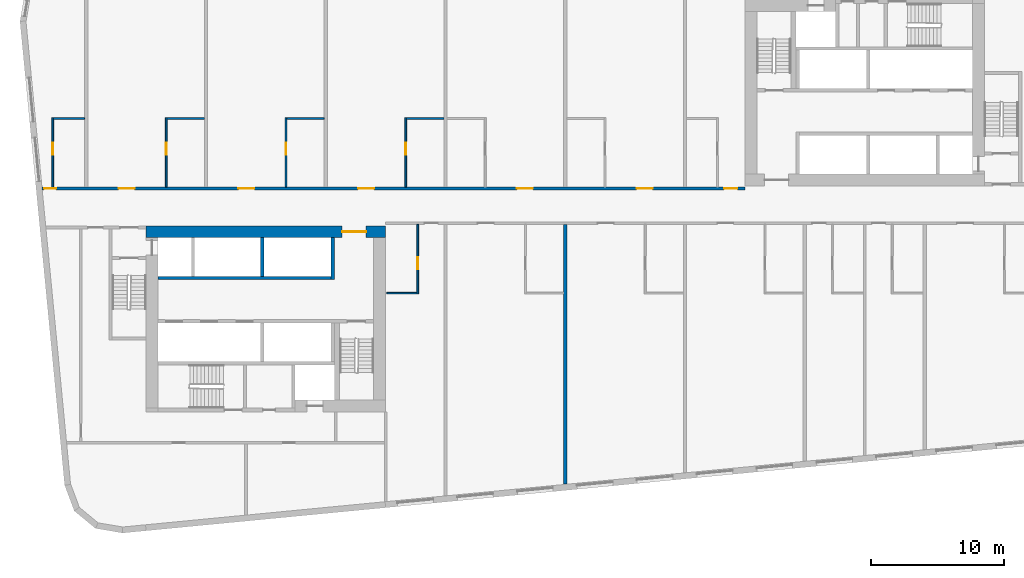
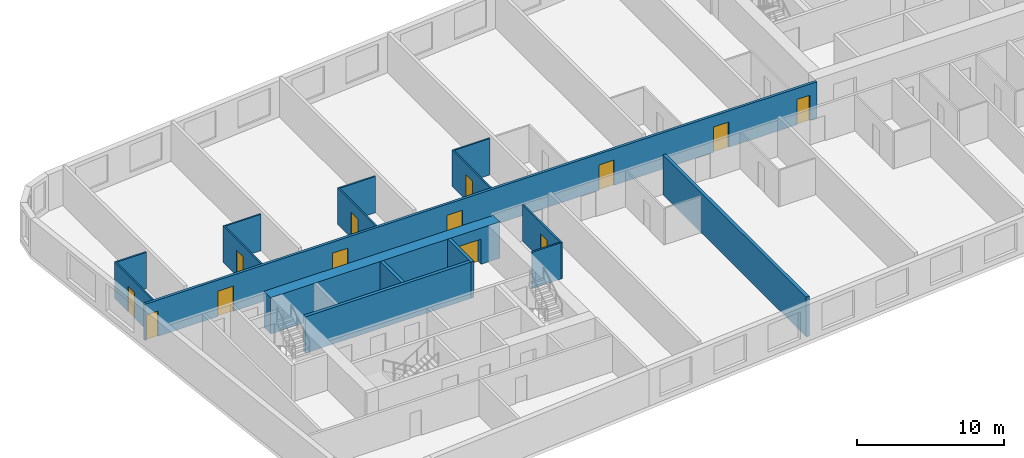
# One storey, part 3 of 12: 16 walls, 13 doors, 13 openings.
"""IFC4 building model written with IfcOpenShell, lengths in metres."""

from ifc_helpers import new_model, si_unit, direction, frame, frame_2d, origin, place, context, subcontext, project, spatial, rectangle, extrude, material, layer, layer_set, type_object, element, fill, save


model = new_model("IFC4")

# Units and contexts
model_context = context("Model", 3, precision=1e-05, world=origin(), true_north=direction((0.0, 1.0)))
body_context = subcontext(model_context, "Body", "Model", "MODEL_VIEW")
ifc_project = project(units=[si_unit("LENGTHUNIT", "METRE"), si_unit("AREAUNIT", "SQUARE_METRE"), si_unit("VOLUMEUNIT", "CUBIC_METRE"), si_unit("PLANEANGLEUNIT", "RADIAN"), si_unit("MASSUNIT", "GRAM", prefix="KILO")], contexts=[model_context])

# Site, building, storey
site_placement = place(None, origin())
site = spatial("IfcSite", under=ifc_project, at=site_placement, CompositionType="ELEMENT")
building_placement = place(site_placement, origin())
building = spatial("IfcBuilding", under=site, at=building_placement, Name="Kajstack Hotel Tower", CompositionType="ELEMENT")
storey_placement = place(building_placement, frame((0.0, 0.0, 143.800048828125)))
storey = spatial("IfcBuildingStorey", under=building, at=storey_placement, Name="L33", CompositionType="ELEMENT", Elevation=143.800048828125)

# Wall, opening, door
ifc_material_1 = material(Name="Concrete C60/75", Category="concrete")
ifc_layer_1 = layer(ifc_material_1, 0.89990234375)
ifc_layer_set_1 = layer_set([ifc_layer_1], Name="Core wall 900")
wall_type_1 = type_object("IfcWallType", Name="Core wall 900", PredefinedType="SHEAR", material=ifc_layer_set_1)
wall_1_placement = place(storey_placement, frame((-31.5, -1.949951171875, 0.0), z_axis=(0.0, 0.0, 1.0), x_axis=(1.0, 0.0, 0.0)))
wall_1 = element("IfcWall", 1, at=wall_1_placement, inside=storey, type_object=wall_type_1, Name="Core wall W RN", PredefinedType="SHEAR", context=body_context, shape_type="SweptSolid", body=[
    extrude(rectangle(XDim=18.0, YDim=0.89990234375, at=frame_2d((9.0, 0.0))), origin(), (0.0, 0.0, 1.0), 3.02001953125),
])
opening_1_placement = place(wall_1_placement, frame((14.72509765625, 0.0, 0.0)))
opening_1 = element("IfcOpeningElement", 2, at=opening_1_placement, cuts=wall_1, Name="Opening 33W06", PredefinedType="OPENING", context=body_context, shape_type="SweptSolid", body=[
    extrude(rectangle(XDim=1.800048828125, YDim=2.10009765625, at=frame_2d((0.89990234375, 1.050048828125))), frame((0.0, 0.4599609375, 0.0), z_axis=(0.0, -1.0, 0.0), x_axis=(1.0, 0.0, 0.0)), (0.0, 0.0, 1.0), 0.919921875),
])
ifc_material_2 = material(Name="Glazed steel frame, fire-rated glass", Category="steel")
door_type_1 = type_object("IfcDoorType", Name="Lobby double door 1800", OperationType="DOUBLE_DOOR_DOUBLE_SWING", PredefinedType="DOOR", material=ifc_material_2)
door_1_placement = place(opening_1_placement, origin())
door_1 = element("IfcDoor", 3, at=door_1_placement, inside=storey, type_object=door_type_1, Name="Door 33W06", OperationType="DOUBLE_DOOR_DOUBLE_SWING", OverallHeight=2.10009765625, OverallWidth=1.800048828125, PredefinedType="DOOR", context=body_context, shape_type="SweptSolid", body=[
    extrude(rectangle(XDim=1.800048828125, YDim=2.10009765625, at=frame_2d((0.89990234375, 1.050048828125))), frame((0.0, 0.02490234375, 0.0), z_axis=(0.0, -1.0, 0.0), x_axis=(1.0, 0.0, 0.0)), (0.0, 0.0, 1.0), 0.050048828125),
])
fill(opening_1, door_1)

# Wall, openings, doors
ifc_material_3 = material(Name="Gypsum board on steel studs, mineral wool", Category="steel")
ifc_layer_2 = layer(ifc_material_3, 0.199951171875)
ifc_layer_set_2 = layer_set([ifc_layer_2], Name="Corridor wall 200")
wall_type_2 = type_object("IfcWallType", Name="Corridor wall 200", PredefinedType="PARTITIONING", material=ifc_layer_set_2)
wall_2_placement = place(storey_placement, frame((-39.31591796875, 1.300048828125, 0.0), z_axis=(0.0, 0.0, 1.0), x_axis=(1.0, 0.0, 0.0)))
wall_2 = element("IfcWall", 4, at=wall_2_placement, inside=storey, type_object=wall_type_2, Name="G-wall-L33-003", PredefinedType="PARTITIONING", context=body_context, shape_type="SweptSolid", body=[
    extrude(rectangle(XDim=52.81591796875, YDim=0.199951171875, at=frame_2d((26.407958984375, 0.0))), origin(), (0.0, 0.0, 1.0), 3.02001953125),
])
opening_2_placement = place(wall_2_placement, frame((0.14990234375, 0.0, 0.0)))
opening_2 = element("IfcOpeningElement", 5, at=opening_2_placement, cuts=wall_2, Name="Opening 33001", PredefinedType="OPENING", context=body_context, shape_type="SweptSolid", body=[
    extrude(rectangle(XDim=0.89990234375, YDim=2.10009765625, at=frame_2d((0.449951171875, 1.050048828125))), frame((0.0, 0.10986328125, 0.0), z_axis=(0.0, -1.0, 0.0), x_axis=(1.0, 0.0, 0.0)), (0.0, 0.0, 1.0), 0.219970703125),
])
opening_3_placement = place(wall_2_placement, frame((5.75390625, 0.0, 0.0)))
opening_3 = element("IfcOpeningElement", 6, at=opening_3_placement, cuts=wall_2, Name="Opening 33003", PredefinedType="OPENING", context=body_context, shape_type="SweptSolid", body=[
    extrude(rectangle(XDim=1.199951171875, YDim=2.10009765625, at=frame_2d((0.60009765625, 1.050048828125))), frame((0.0, 0.10986328125, 0.0), z_axis=(0.0, -1.0, 0.0), x_axis=(1.0, 0.0, 0.0)), (0.0, 0.0, 1.0), 0.219970703125),
])
opening_4_placement = place(wall_2_placement, frame((14.75390625, 0.0, 0.0)))
opening_4 = element("IfcOpeningElement", 7, at=opening_4_placement, cuts=wall_2, Name="Opening 33005", PredefinedType="OPENING", context=body_context, shape_type="SweptSolid", body=[
    extrude(rectangle(XDim=1.199951171875, YDim=2.10009765625, at=frame_2d((0.60009765625, 1.050048828125))), frame((0.0, 0.10986328125, 0.0), z_axis=(0.0, -1.0, 0.0), x_axis=(1.0, 0.0, 0.0)), (0.0, 0.0, 1.0), 0.219970703125),
])
opening_5_placement = place(wall_2_placement, frame((23.75390625, 0.0, 0.0)))
opening_5 = element("IfcOpeningElement", 8, at=opening_5_placement, cuts=wall_2, Name="Opening 33007", PredefinedType="OPENING", context=body_context, shape_type="SweptSolid", body=[
    extrude(rectangle(XDim=1.199951171875, YDim=2.10009765625, at=frame_2d((0.60009765625, 1.050048828125))), frame((0.0, 0.10986328125, 0.0), z_axis=(0.0, -1.0, 0.0), x_axis=(1.0, 0.0, 0.0)), (0.0, 0.0, 1.0), 0.219970703125),
])
opening_6_placement = place(wall_2_placement, frame((35.677978515625, 0.0, 0.0)))
opening_6 = element("IfcOpeningElement", 9, at=opening_6_placement, cuts=wall_2, Name="Opening 33009", PredefinedType="OPENING", context=body_context, shape_type="SweptSolid", body=[
    extrude(rectangle(XDim=1.199951171875, YDim=2.10009765625, at=frame_2d((0.60009765625, 1.050048828125))), frame((0.0, 0.10986328125, 0.0), z_axis=(0.0, -1.0, 0.0), x_axis=(1.0, 0.0, 0.0)), (0.0, 0.0, 1.0), 0.219970703125),
])
opening_7_placement = place(wall_2_placement, frame((44.677978515625, 0.0, 0.0)))
opening_7 = element("IfcOpeningElement", 10, at=opening_7_placement, cuts=wall_2, Name="Opening 33011", PredefinedType="OPENING", context=body_context, shape_type="SweptSolid", body=[
    extrude(rectangle(XDim=1.199951171875, YDim=2.10009765625, at=frame_2d((0.60009765625, 1.050048828125))), frame((0.0, 0.10986328125, 0.0), z_axis=(0.0, -1.0, 0.0), x_axis=(1.0, 0.0, 0.0)), (0.0, 0.0, 1.0), 0.219970703125),
])
opening_8_placement = place(wall_2_placement, frame((51.240966796875, 0.0, 0.0)))
opening_8 = element("IfcOpeningElement", 11, at=opening_8_placement, cuts=wall_2, Name="Opening 33013", PredefinedType="OPENING", context=body_context, shape_type="SweptSolid", body=[
    extrude(rectangle(XDim=1.0, YDim=2.10009765625, at=frame_2d((0.5, 1.050048828125))), frame((0.0, 0.10986328125, 0.0), z_axis=(0.0, -1.0, 0.0), x_axis=(1.0, 0.0, 0.0)), (0.0, 0.0, 1.0), 0.219970703125),
])
ifc_material_4 = material(Name="Oak veneer on timber core, fire-rated leaf", Category="wood")
door_type_2 = type_object("IfcDoorType", Name="Flat entrance door 1000", OperationType="SINGLE_SWING_LEFT", PredefinedType="DOOR", material=ifc_material_4)
door_2_placement = place(opening_8_placement, origin())
door_2 = element("IfcDoor", 12, at=door_2_placement, inside=storey, type_object=door_type_2, Name="G-door-L33-13", OperationType="SINGLE_SWING_LEFT", OverallHeight=2.10009765625, OverallWidth=1.0, PredefinedType="DOOR", context=body_context, shape_type="SweptSolid", body=[
    extrude(rectangle(XDim=1.0, YDim=2.10009765625, at=frame_2d((0.5, 1.050048828125))), frame((0.0, 0.02490234375, 0.0), z_axis=(0.0, -1.0, 0.0), x_axis=(1.0, 0.0, 0.0)), (0.0, 0.0, 1.0), 0.050048828125),
])
fill(opening_8, door_2)
door_type_3 = type_object("IfcDoorType", Name="Flat entrance door 1200", OperationType="SINGLE_SWING_LEFT", PredefinedType="DOOR", material=ifc_material_4)
door_3_placement = place(opening_3_placement, origin())
door_3 = element("IfcDoor", 13, at=door_3_placement, inside=storey, type_object=door_type_3, Name="G-door-L33-03", OperationType="SINGLE_SWING_LEFT", OverallHeight=2.10009765625, OverallWidth=1.199951171875, PredefinedType="DOOR", context=body_context, shape_type="SweptSolid", body=[
    extrude(rectangle(XDim=1.199951171875, YDim=2.10009765625, at=frame_2d((0.60009765625, 1.050048828125))), frame((0.0, 0.02490234375, 0.0), z_axis=(0.0, -1.0, 0.0), x_axis=(1.0, 0.0, 0.0)), (0.0, 0.0, 1.0), 0.050048828125),
])
fill(opening_3, door_3)
door_4_placement = place(opening_4_placement, origin())
door_4 = element("IfcDoor", 14, at=door_4_placement, inside=storey, type_object=door_type_3, Name="G-door-L33-05", OperationType="SINGLE_SWING_LEFT", OverallHeight=2.10009765625, OverallWidth=1.199951171875, PredefinedType="DOOR", context=body_context, shape_type="SweptSolid", body=[
    extrude(rectangle(XDim=1.199951171875, YDim=2.10009765625, at=frame_2d((0.60009765625, 1.050048828125))), frame((0.0, 0.02490234375, 0.0), z_axis=(0.0, -1.0, 0.0), x_axis=(1.0, 0.0, 0.0)), (0.0, 0.0, 1.0), 0.050048828125),
])
fill(opening_4, door_4)
door_5_placement = place(opening_5_placement, origin())
door_5 = element("IfcDoor", 15, at=door_5_placement, inside=storey, type_object=door_type_3, Name="G-door-L33-07", OperationType="SINGLE_SWING_RIGHT", OverallHeight=2.10009765625, OverallWidth=1.199951171875, PredefinedType="DOOR", context=body_context, shape_type="SweptSolid", body=[
    extrude(rectangle(XDim=1.199951171875, YDim=2.10009765625, at=frame_2d((0.60009765625, 1.050048828125))), frame((0.0, 0.02490234375, 0.0), z_axis=(0.0, -1.0, 0.0), x_axis=(1.0, 0.0, 0.0)), (0.0, 0.0, 1.0), 0.050048828125),
])
fill(opening_5, door_5)
door_6_placement = place(opening_6_placement, origin())
door_6 = element("IfcDoor", 16, at=door_6_placement, inside=storey, type_object=door_type_3, Name="G-door-L33-09", OperationType="SINGLE_SWING_RIGHT", OverallHeight=2.10009765625, OverallWidth=1.199951171875, PredefinedType="DOOR", context=body_context, shape_type="SweptSolid", body=[
    extrude(rectangle(XDim=1.199951171875, YDim=2.10009765625, at=frame_2d((0.60009765625, 1.050048828125))), frame((0.0, 0.02490234375, 0.0), z_axis=(0.0, -1.0, 0.0), x_axis=(1.0, 0.0, 0.0)), (0.0, 0.0, 1.0), 0.050048828125),
])
fill(opening_6, door_6)
door_7_placement = place(opening_7_placement, origin())
door_7 = element("IfcDoor", 17, at=door_7_placement, inside=storey, type_object=door_type_3, Name="G-door-L33-11", OperationType="SINGLE_SWING_LEFT", OverallHeight=2.10009765625, OverallWidth=1.199951171875, PredefinedType="DOOR", context=body_context, shape_type="SweptSolid", body=[
    extrude(rectangle(XDim=1.199951171875, YDim=2.10009765625, at=frame_2d((0.60009765625, 1.050048828125))), frame((0.0, 0.02490234375, 0.0), z_axis=(0.0, -1.0, 0.0), x_axis=(1.0, 0.0, 0.0)), (0.0, 0.0, 1.0), 0.050048828125),
])
fill(opening_7, door_7)
ifc_material_5 = material(Name="Painted timber door leaf", Category="wood")
door_type_4 = type_object("IfcDoorType", Name="Room door 900", OperationType="SINGLE_SWING_LEFT", PredefinedType="DOOR", material=ifc_material_5)
door_8_placement = place(opening_2_placement, origin())
door_8 = element("IfcDoor", 18, at=door_8_placement, inside=storey, type_object=door_type_4, Name="G-door-L33-01", OperationType="SINGLE_SWING_LEFT", OverallHeight=2.10009765625, OverallWidth=0.89990234375, PredefinedType="DOOR", context=body_context, shape_type="SweptSolid", body=[
    extrude(rectangle(XDim=0.89990234375, YDim=2.10009765625, at=frame_2d((0.449951171875, 1.050048828125))), frame((0.0, 0.02490234375, 0.0), z_axis=(0.0, -1.0, 0.0), x_axis=(1.0, 0.0, 0.0)), (0.0, 0.0, 1.0), 0.050048828125),
])
fill(opening_2, door_8)

# Wall, opening, door
ifc_material_6 = material(Name="Gypsum board and tiled backer on steel studs", Category="steel")
ifc_layer_3 = layer(ifc_material_6, 0.125)
ifc_layer_set_3 = layer_set([ifc_layer_3], Name="En-suite wall 125")
wall_type_3 = type_object("IfcWallType", Name="En-suite wall 125", PredefinedType="PARTITIONING", material=ifc_layer_set_3)
wall_3_placement = place(storey_placement, frame((-38.51904296875, 1.39990234375, 0.0), z_axis=(0.0, 0.0, 1.0), x_axis=(0.0, 1.0, 0.0)))
wall_3 = element("IfcWall", 19, at=wall_3_placement, inside=storey, type_object=wall_type_3, Name="G-wall-L33-004", PredefinedType="PARTITIONING", context=body_context, shape_type="SweptSolid", body=[
    extrude(rectangle(XDim=5.22509765625, YDim=0.125, at=frame_2d((2.612548828125, 0.0))), origin(), (0.0, 0.0, 1.0), 3.02001953125),
])
opening_9_placement = place(wall_3_placement, frame((2.449951171875, 0.0, 0.0)))
opening_9 = element("IfcOpeningElement", 20, at=opening_9_placement, cuts=wall_3, Name="Opening 33002", PredefinedType="OPENING", context=body_context, shape_type="SweptSolid", body=[
    extrude(rectangle(XDim=0.89990234375, YDim=2.10009765625, at=frame_2d((0.449951171875, 1.050048828125))), frame((0.0, 0.072509765625, 0.0), z_axis=(0.0, -1.0, 0.0), x_axis=(1.0, 0.0, 0.0)), (0.0, 0.0, 1.0), 0.14501953125),
])
door_9_placement = place(opening_9_placement, origin())
door_9 = element("IfcDoor", 21, at=door_9_placement, inside=storey, type_object=door_type_4, Name="G-door-L33-02", OperationType="SINGLE_SWING_LEFT", OverallHeight=2.10009765625, OverallWidth=0.89990234375, PredefinedType="DOOR", context=body_context, shape_type="SweptSolid", body=[
    extrude(rectangle(XDim=0.89990234375, YDim=2.10009765625, at=frame_2d((0.449951171875, 1.050048828125))), frame((0.0, 0.02490234375, 0.0), z_axis=(0.0, -1.0, 0.0), x_axis=(1.0, 0.0, 0.0)), (0.0, 0.0, 1.0), 0.050048828125),
])
fill(opening_9, door_9)

# Wall
wall_4_placement = place(storey_placement, frame((-38.45703125, 6.56201171875, 0.0), z_axis=(0.0, 0.0, 1.0), x_axis=(1.0, 0.0, 0.0)))
element("IfcWall", 22, at=wall_4_placement, inside=storey, type_object=wall_type_3, Name="G-wall-L33-005", PredefinedType="PARTITIONING", context=body_context, shape_type="SweptSolid", body=[
    extrude(rectangle(XDim=2.33203125, YDim=0.125, at=frame_2d((1.166015625, 0.0))), origin(), (0.0, 0.0, 1.0), 3.02001953125),
])

# Wall, opening, door
wall_5_placement = place(storey_placement, frame((-29.988037109375, 1.39990234375, 0.0), z_axis=(0.0, 0.0, 1.0), x_axis=(0.0, 1.0, 0.0)))
wall_5 = element("IfcWall", 23, at=wall_5_placement, inside=storey, type_object=wall_type_3, Name="G-wall-L33-006", PredefinedType="PARTITIONING", context=body_context, shape_type="SweptSolid", body=[
    extrude(rectangle(XDim=5.22509765625, YDim=0.125, at=frame_2d((2.612548828125, 0.0))), origin(), (0.0, 0.0, 1.0), 3.02001953125),
])
opening_10_placement = place(wall_5_placement, frame((2.449951171875, 0.0, 0.0)))
opening_10 = element("IfcOpeningElement", 24, at=opening_10_placement, cuts=wall_5, Name="Opening 33004", PredefinedType="OPENING", context=body_context, shape_type="SweptSolid", body=[
    extrude(rectangle(XDim=0.89990234375, YDim=2.10009765625, at=frame_2d((0.449951171875, 1.050048828125))), frame((0.0, 0.072509765625, 0.0), z_axis=(0.0, -1.0, 0.0), x_axis=(1.0, 0.0, 0.0)), (0.0, 0.0, 1.0), 0.14501953125),
])
door_10_placement = place(opening_10_placement, origin())
door_10 = element("IfcDoor", 25, at=door_10_placement, inside=storey, type_object=door_type_4, Name="G-door-L33-04", OperationType="SINGLE_SWING_LEFT", OverallHeight=2.10009765625, OverallWidth=0.89990234375, PredefinedType="DOOR", context=body_context, shape_type="SweptSolid", body=[
    extrude(rectangle(XDim=0.89990234375, YDim=2.10009765625, at=frame_2d((0.449951171875, 1.050048828125))), frame((0.0, 0.02490234375, 0.0), z_axis=(0.0, -1.0, 0.0), x_axis=(1.0, 0.0, 0.0)), (0.0, 0.0, 1.0), 0.050048828125),
])
fill(opening_10, door_10)

# Wall
wall_6_placement = place(storey_placement, frame((-29.925048828125, 6.56201171875, 0.0), z_axis=(0.0, 0.0, 1.0), x_axis=(1.0, 0.0, 0.0)))
element("IfcWall", 26, at=wall_6_placement, inside=storey, type_object=wall_type_3, Name="G-wall-L33-007", PredefinedType="PARTITIONING", context=body_context, shape_type="SweptSolid", body=[
    extrude(rectangle(XDim=2.800048828125, YDim=0.125, at=frame_2d((1.39990234375, 0.0))), origin(), (0.0, 0.0, 1.0), 3.02001953125),
])

# Wall, opening, door
wall_7_placement = place(storey_placement, frame((-20.988037109375, 1.39990234375, 0.0), z_axis=(0.0, 0.0, 1.0), x_axis=(0.0, 1.0, 0.0)))
wall_7 = element("IfcWall", 27, at=wall_7_placement, inside=storey, type_object=wall_type_3, Name="G-wall-L33-008", PredefinedType="PARTITIONING", context=body_context, shape_type="SweptSolid", body=[
    extrude(rectangle(XDim=5.22509765625, YDim=0.125, at=frame_2d((2.612548828125, 0.0))), origin(), (0.0, 0.0, 1.0), 3.02001953125),
])
opening_11_placement = place(wall_7_placement, frame((2.449951171875, 0.0, 0.0)))
opening_11 = element("IfcOpeningElement", 28, at=opening_11_placement, cuts=wall_7, Name="Opening 33006", PredefinedType="OPENING", context=body_context, shape_type="SweptSolid", body=[
    extrude(rectangle(XDim=0.89990234375, YDim=2.10009765625, at=frame_2d((0.449951171875, 1.050048828125))), frame((0.0, 0.072509765625, 0.0), z_axis=(0.0, -1.0, 0.0), x_axis=(1.0, 0.0, 0.0)), (0.0, 0.0, 1.0), 0.14501953125),
])
door_11_placement = place(opening_11_placement, origin())
door_11 = element("IfcDoor", 29, at=door_11_placement, inside=storey, type_object=door_type_4, Name="G-door-L33-06", OperationType="SINGLE_SWING_LEFT", OverallHeight=2.10009765625, OverallWidth=0.89990234375, PredefinedType="DOOR", context=body_context, shape_type="SweptSolid", body=[
    extrude(rectangle(XDim=0.89990234375, YDim=2.10009765625, at=frame_2d((0.449951171875, 1.050048828125))), frame((0.0, 0.02490234375, 0.0), z_axis=(0.0, -1.0, 0.0), x_axis=(1.0, 0.0, 0.0)), (0.0, 0.0, 1.0), 0.050048828125),
])
fill(opening_11, door_11)

# Wall
wall_8_placement = place(storey_placement, frame((-20.925048828125, 6.56201171875, 0.0), z_axis=(0.0, 0.0, 1.0), x_axis=(1.0, 0.0, 0.0)))
element("IfcWall", 30, at=wall_8_placement, inside=storey, type_object=wall_type_3, Name="G-wall-L33-009", PredefinedType="PARTITIONING", context=body_context, shape_type="SweptSolid", body=[
    extrude(rectangle(XDim=2.800048828125, YDim=0.125, at=frame_2d((1.39990234375, 0.0))), origin(), (0.0, 0.0, 1.0), 3.02001953125),
])

# Wall, opening, door
wall_9_placement = place(storey_placement, frame((-11.988037109375, 1.39990234375, 0.0), z_axis=(0.0, 0.0, 1.0), x_axis=(0.0, 1.0, 0.0)))
wall_9 = element("IfcWall", 31, at=wall_9_placement, inside=storey, type_object=wall_type_3, Name="G-wall-L33-010", PredefinedType="PARTITIONING", context=body_context, shape_type="SweptSolid", body=[
    extrude(rectangle(XDim=5.22509765625, YDim=0.125, at=frame_2d((2.612548828125, 0.0))), origin(), (0.0, 0.0, 1.0), 3.02001953125),
])
opening_12_placement = place(wall_9_placement, frame((2.449951171875, 0.0, 0.0)))
opening_12 = element("IfcOpeningElement", 32, at=opening_12_placement, cuts=wall_9, Name="Opening 33008", PredefinedType="OPENING", context=body_context, shape_type="SweptSolid", body=[
    extrude(rectangle(XDim=0.89990234375, YDim=2.10009765625, at=frame_2d((0.449951171875, 1.050048828125))), frame((0.0, 0.072509765625, 0.0), z_axis=(0.0, -1.0, 0.0), x_axis=(1.0, 0.0, 0.0)), (0.0, 0.0, 1.0), 0.14501953125),
])
door_12_placement = place(opening_12_placement, origin())
door_12 = element("IfcDoor", 33, at=door_12_placement, inside=storey, type_object=door_type_4, Name="G-door-L33-08", OperationType="SINGLE_SWING_LEFT", OverallHeight=2.10009765625, OverallWidth=0.89990234375, PredefinedType="DOOR", context=body_context, shape_type="SweptSolid", body=[
    extrude(rectangle(XDim=0.89990234375, YDim=2.10009765625, at=frame_2d((0.449951171875, 1.050048828125))), frame((0.0, 0.02490234375, 0.0), z_axis=(0.0, -1.0, 0.0), x_axis=(1.0, 0.0, 0.0)), (0.0, 0.0, 1.0), 0.050048828125),
])
fill(opening_12, door_12)

# Wall
wall_10_placement = place(storey_placement, frame((-11.925048828125, 6.56201171875, 0.0), z_axis=(0.0, 0.0, 1.0), x_axis=(1.0, 0.0, 0.0)))
element("IfcWall", 34, at=wall_10_placement, inside=storey, type_object=wall_type_3, Name="G-wall-L33-011", PredefinedType="PARTITIONING", context=body_context, shape_type="SweptSolid", body=[
    extrude(rectangle(XDim=2.800048828125, YDim=0.125, at=frame_2d((1.39990234375, 0.0))), origin(), (0.0, 0.0, 1.0), 3.02001953125),
])

# Wall, opening, door
wall_11_placement = place(storey_placement, frame((-11.087890625, -6.625, 0.0), z_axis=(0.0, 0.0, 1.0), x_axis=(0.0, 1.0, 0.0)))
wall_11 = element("IfcWall", 35, at=wall_11_placement, inside=storey, type_object=wall_type_3, Name="G-wall-L33-019", PredefinedType="PARTITIONING", context=body_context, shape_type="SweptSolid", body=[
    extrude(rectangle(XDim=5.22509765625, YDim=0.125, at=frame_2d((2.612548828125, 0.0))), origin(), (0.0, 0.0, 1.0), 3.02001953125),
])
opening_13_placement = place(wall_11_placement, frame((1.875, 0.0, 0.0)))
opening_13 = element("IfcOpeningElement", 36, at=opening_13_placement, cuts=wall_11, Name="Opening 33016", PredefinedType="OPENING", context=body_context, shape_type="SweptSolid", body=[
    extrude(rectangle(XDim=0.89990234375, YDim=2.10009765625, at=frame_2d((0.449951171875, 1.050048828125))), frame((0.0, 0.072509765625, 0.0), z_axis=(0.0, -1.0, 0.0), x_axis=(1.0, 0.0, 0.0)), (0.0, 0.0, 1.0), 0.14501953125),
])
door_13_placement = place(opening_13_placement, origin())
door_13 = element("IfcDoor", 37, at=door_13_placement, inside=storey, type_object=door_type_4, Name="G-door-L33-16", OperationType="SINGLE_SWING_RIGHT", OverallHeight=2.10009765625, OverallWidth=0.89990234375, PredefinedType="DOOR", context=body_context, shape_type="SweptSolid", body=[
    extrude(rectangle(XDim=0.89990234375, YDim=2.10009765625, at=frame_2d((0.449951171875, 1.050048828125))), frame((0.0, 0.02490234375, 0.0), z_axis=(0.0, -1.0, 0.0), x_axis=(1.0, 0.0, 0.0)), (0.0, 0.0, 1.0), 0.050048828125),
])
fill(opening_13, door_13)

# Walls
wall_12_placement = place(storey_placement, frame((-13.39990234375, -6.56201171875, 0.0), z_axis=(0.0, 0.0, 1.0), x_axis=(1.0, 0.0, 0.0)))
element("IfcWall", 38, at=wall_12_placement, inside=storey, type_object=wall_type_3, Name="G-wall-L33-020", PredefinedType="PARTITIONING", context=body_context, shape_type="SweptSolid", body=[
    extrude(rectangle(XDim=2.25, YDim=0.125, at=frame_2d((1.125, 0.0))), origin(), (0.0, 0.0, 1.0), 3.02001953125),
])
ifc_material_7 = material(Name="Concrete C50/60", Category="concrete")
ifc_layer_4 = layer(ifc_material_7, 0.300048828125)
ifc_layer_set_4 = layer_set([ifc_layer_4], Name="Hoistway divider wall 300")
wall_type_4 = type_object("IfcWallType", Name="Hoistway divider wall 300", PredefinedType="SHEAR", material=ifc_layer_set_4)
wall_13_placement = place(storey_placement, frame((-22.77490234375, -5.300048828125, 0.0), z_axis=(0.0, 0.0, 1.0), x_axis=(0.0, 1.0, 0.0)))
element("IfcWall", 39, at=wall_13_placement, inside=storey, type_object=wall_type_4, Name="Core wall W AP2", PredefinedType="SHEAR", context=body_context, shape_type="SweptSolid", body=[
    extrude(rectangle(XDim=2.900146484375, YDim=0.25, at=frame_2d((1.4501953125, 0.0))), origin(), (0.0, 0.0, 1.0), 3.02001953125),
])
ifc_material_8 = material(Name="Concrete C55/67", Category="concrete")
ifc_layer_5 = layer(ifc_material_8, 0.25)
ifc_layer_set_5 = layer_set([ifc_layer_5], Name="RC cross wall 250 C55/67")
wall_type_5 = type_object("IfcWallType", Name="RC cross wall 250 C55/67", PredefinedType="SHEAR", material=ifc_layer_set_5)
wall_14_placement = place(storey_placement, frame((0.0, -20.910400390625, 0.0), z_axis=(0.0, 0.0, 1.0), x_axis=(0.0, 1.0, 0.0)))
element("IfcWall", 40, at=wall_14_placement, inside=storey, type_object=wall_type_5, Name="S-wall-L33-06", PredefinedType="SHEAR", context=body_context, shape_type="SweptSolid", body=[
    extrude(rectangle(XDim=19.510498046875, YDim=0.25, at=frame_2d((9.75537109375, 0.0))), origin(), (0.0, 0.0, 1.0), 3.300048828125),
])
ifc_layer_6 = layer(ifc_material_7, 0.25)
ifc_layer_set_6 = layer_set([ifc_layer_6], Name="Shaft wall 250")
wall_type_6 = type_object("IfcWallType", Name="Shaft wall 250", PredefinedType="SHEAR", material=ifc_layer_set_6)
wall_15_placement = place(storey_placement, frame((-30.60009765625, -5.425048828125, 0.0), z_axis=(0.0, 0.0, 1.0), x_axis=(1.0, 0.0, 0.0)))
element("IfcWall", 41, at=wall_15_placement, inside=storey, type_object=wall_type_6, Name="Core wall W FA", PredefinedType="SHEAR", context=body_context, shape_type="SweptSolid", body=[
    extrude(rectangle(XDim=13.0, YDim=0.25, at=frame_2d((6.5, 0.0))), origin(), (0.0, 0.0, 1.0), 3.02001953125),
])
wall_16_placement = place(storey_placement, frame((-17.47509765625, -5.550048828125, 0.0), z_axis=(0.0, 0.0, 1.0), x_axis=(0.0, 1.0, 0.0)))
element("IfcWall", 42, at=wall_16_placement, inside=storey, type_object=wall_type_6, Name="Core wall W AE", PredefinedType="SHEAR", context=body_context, shape_type="SweptSolid", body=[
    extrude(rectangle(XDim=3.150146484375, YDim=0.25, at=frame_2d((1.5751953125, 0.0))), origin(), (0.0, 0.0, 1.0), 3.02001953125),
])

save(model, "model.ifc")
